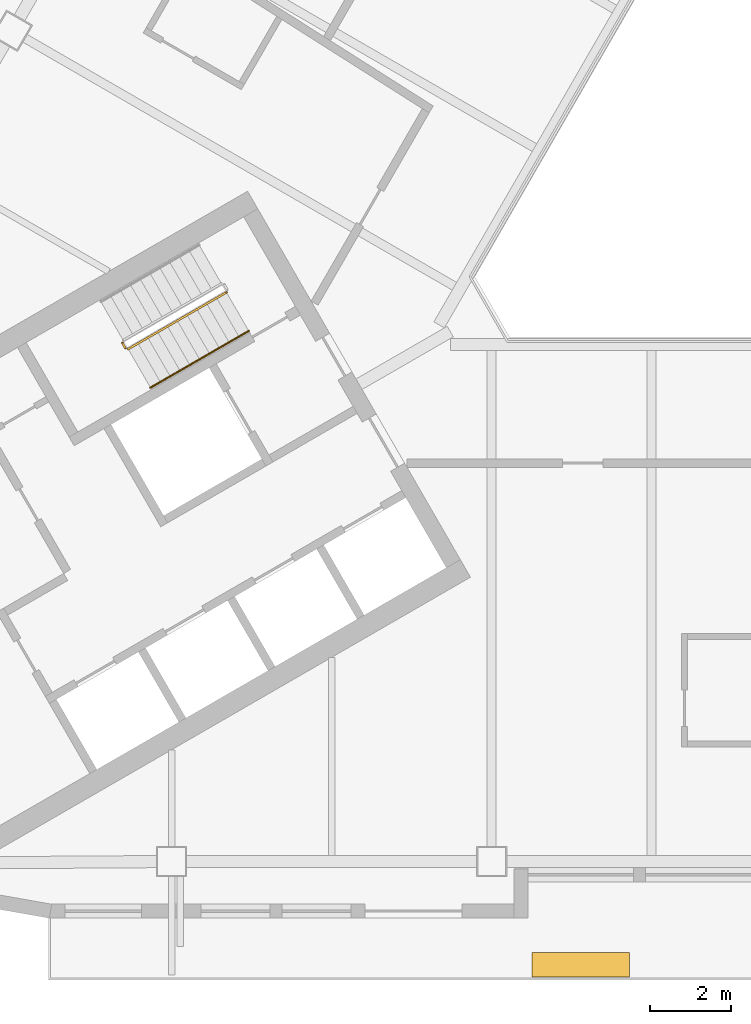
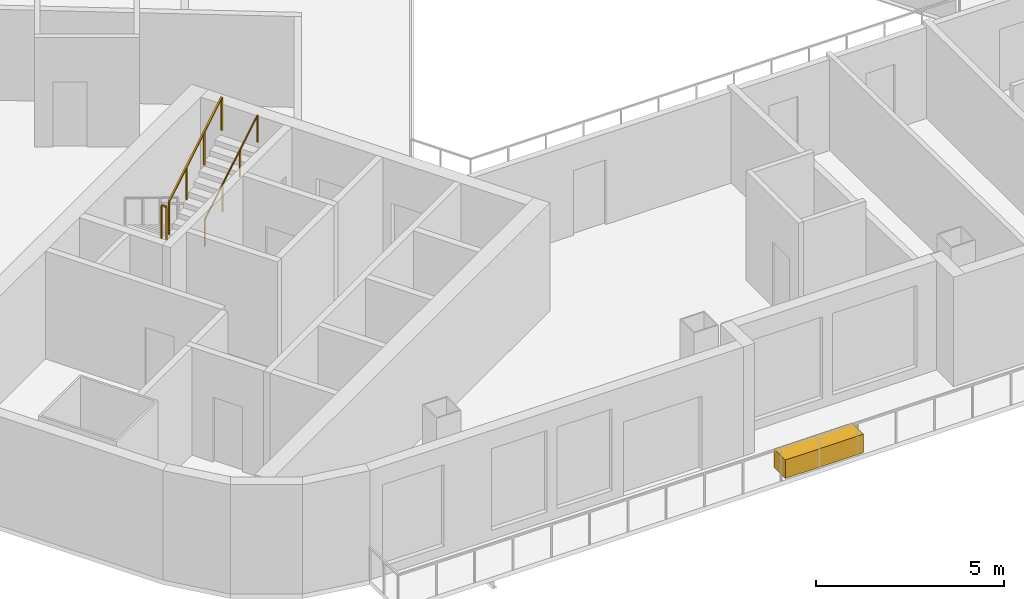
# One storey, part 8 of 13: 3 railings, 1 covering.
"""IFC4 building model written with IfcOpenShell, lengths in metres."""

from ifc_helpers import new_model, si_unit, direction, frame, origin, origin_2d, place, context, subcontext, project, spatial, rectangle, circle, extrude, material, type_object, element, save


model = new_model("IFC4")

# Units and contexts
model_context = context("Model", 3, precision=1e-05, world=origin(), true_north=direction((0.0, 1.0)))
body_context = subcontext(model_context, "Body", "Model", "MODEL_VIEW")
ifc_project = project(units=[si_unit("LENGTHUNIT", "METRE"), si_unit("AREAUNIT", "SQUARE_METRE"), si_unit("VOLUMEUNIT", "CUBIC_METRE"), si_unit("PLANEANGLEUNIT", "RADIAN"), si_unit("MASSUNIT", "GRAM", prefix="KILO")], contexts=[model_context])

# Site, building, storey
site_placement = place(None, origin())
site = spatial("IfcSite", under=ifc_project, at=site_placement, CompositionType="ELEMENT")
building_placement = place(site_placement, origin())
building = spatial("IfcBuilding", under=site, at=building_placement, Name="Apuvela Tower Hotel", CompositionType="ELEMENT")
storey_placement = place(building_placement, frame((0.0, 0.0, 194.699951171875)))
storey = spatial("IfcBuildingStorey", under=building, at=storey_placement, Name="L47", CompositionType="ELEMENT", Elevation=194.699951171875)

# Railings
ifc_material_1 = material(Name="Steel S275 balustrade", Category="steel")
railing_type_1 = type_object("IfcRailingType", Name="COR-GUARD-1100", PredefinedType="GUARDRAIL", material=ifc_material_1)
railing_1_placement = place(storey_placement, frame((-17.01220703125, -5.43408203125, 1.85009765625)))
element("IfcRailing", 1, at=railing_1_placement, inside=storey, type_object=railing_type_1, Name="L47 ST2 stair guard 2", PredefinedType="GUARDRAIL", context=body_context, shape_type="SweptSolid", body=[
    extrude(rectangle(XDim=0.048095703125, YDim=0.048095703125, at=origin_2d()), frame((0.0, 0.0, 1.076171875), z_axis=(0.499816412211, -0.866131372301, 0.0), x_axis=(0.866131372301, 0.499816412211, 0.0)), (0.0, 0.0, 1.0), 0.14990234375),
    extrude(rectangle(XDim=0.0419921875, YDim=0.0419921875, at=origin_2d()), origin(), (0.0, 0.0, 1.0), 1.052001953125),
    extrude(rectangle(XDim=0.0419921875, YDim=0.0419921875, at=origin_2d()), frame((0.074951171875, -0.1298828125, 0.0)), (0.0, 0.0, 1.0), 1.052001953125),
])
railing_2_placement = place(storey_placement, frame((-16.868896484375, -5.582275390625, 2.018310546875)))
element("IfcRailing", 2, at=railing_2_placement, inside=storey, type_object=railing_type_1, Name="L47 ST2 stair guard 3", PredefinedType="GUARDRAIL", context=body_context, shape_type="SweptSolid", body=[
    extrude(rectangle(XDim=0.048095703125, YDim=0.048095703125, at=origin_2d()), frame((0.0, 0.0, 1.076171875), z_axis=(0.74241905619, 0.428617687091, 0.514879426), x_axis=(-0.49998411664, 0.866034573852, 0.0)), (0.0, 0.0, 1.0), 3.26611328125),
    extrude(rectangle(XDim=0.0419921875, YDim=0.0419921875, at=origin_2d()), origin(), (0.0, 0.0, 1.0), 1.052001953125),
    extrude(rectangle(XDim=0.0419921875, YDim=0.0419921875, at=origin_2d()), frame((0.808349609375, 0.466552734375, 0.560546875)), (0.0, 0.0, 1.0), 1.052001953125),
    extrude(rectangle(XDim=0.0419921875, YDim=0.0419921875, at=origin_2d()), frame((1.616455078125, 0.933349609375, 1.12109375)), (0.0, 0.0, 1.0), 1.052001953125),
    extrude(rectangle(XDim=0.0419921875, YDim=0.0419921875, at=origin_2d()), frame((2.4248046875, 1.39990234375, 1.681640625)), (0.0, 0.0, 1.0), 1.052001953125),
])
ifc_material_2 = material(Name="Stainless steel 316 handrail", Category="steel")
railing_type_2 = type_object("IfcRailingType", Name="COR-HANDRAIL-900", PredefinedType="HANDRAIL", material=ifc_material_2)
railing_3_placement = place(storey_placement, frame((-16.31884765625, -6.534912109375, 2.018310546875)))
element("IfcRailing", 3, at=railing_3_placement, inside=storey, type_object=railing_type_2, Name="L47 ST2 stair handrail 2", PredefinedType="HANDRAIL", context=body_context, shape_type="SweptSolid", body=[
    extrude(circle(Radius=0.02392578125, at=origin_2d()), frame((0.0, 0.0, 0.8759765625), z_axis=(0.74241905619, 0.428617687091, 0.514879426), x_axis=(-0.49998411664, 0.866034573852, 0.0)), (0.0, 0.0, 1.0), 3.26611328125),
    extrude(rectangle(XDim=0.0419921875, YDim=0.0419921875, at=origin_2d()), origin(), (0.0, 0.0, 1.0), 0.851806640625),
    extrude(rectangle(XDim=0.0419921875, YDim=0.0419921875, at=origin_2d()), frame((0.808349609375, 0.466552734375, 0.560546875)), (0.0, 0.0, 1.0), 0.851806640625),
    extrude(rectangle(XDim=0.0419921875, YDim=0.0419921875, at=origin_2d()), frame((1.616455078125, 0.933349609375, 1.12109375)), (0.0, 0.0, 1.0), 0.851806640625),
    extrude(rectangle(XDim=0.0419921875, YDim=0.0419921875, at=origin_2d()), frame((2.4248046875, 1.39990234375, 1.681640625)), (0.0, 0.0, 1.0), 0.851806640625),
])

# Covering
ifc_material_3 = material(Name="Planting substrate and soil, planted")
covering_type = type_object("IfcCoveringType", Name="ENV-PLANTER-2400x600", PredefinedType="USERDEFINED", material=ifc_material_3)
covering_placement = place(storey_placement, frame((-5.69970703125, -20.780029296875, 0.0), z_axis=(0.0, 0.0, 1.0), x_axis=(1.0, 0.0, 0.0)))
element("IfcCovering", 4, at=covering_placement, inside=storey, type_object=covering_type, Name="Planter S1", ObjectType="PLANTER", PredefinedType="USERDEFINED", context=body_context, shape_type="SweptSolid", body=[
    extrude(rectangle(XDim=2.39990234375, YDim=0.60009765625, at=origin_2d()), origin(), (0.0, 0.0, 1.0), 0.60009765625),
])

save(model, "model.ifc")
